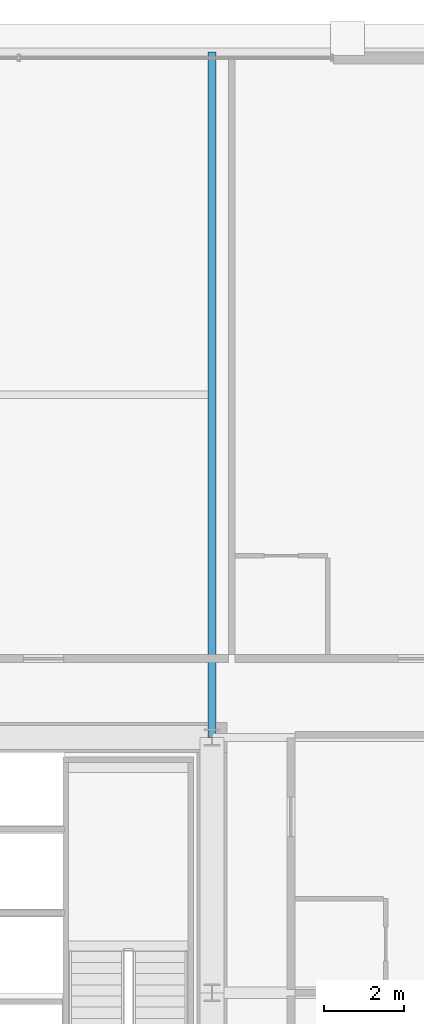
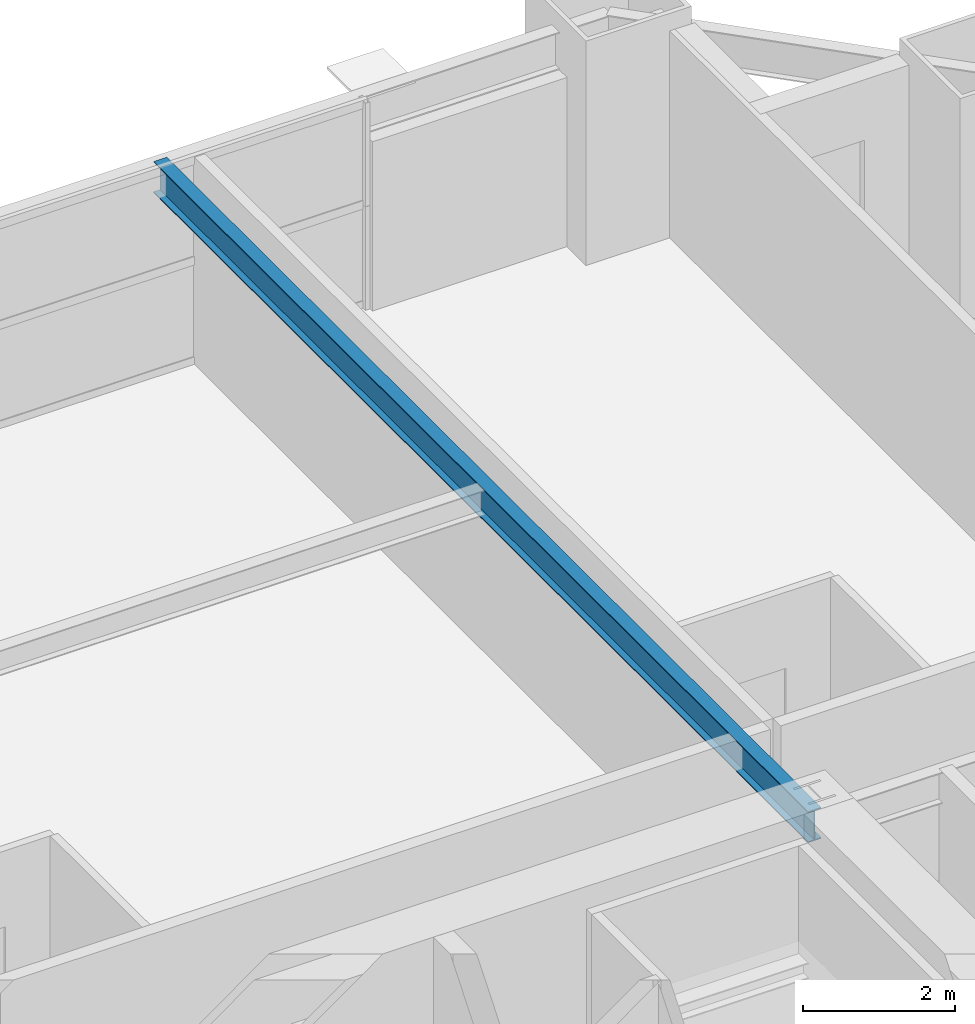
# One storey, part 27 of 38: 1 beam.
"""IFC4 building model written with IfcOpenShell, lengths in metres."""

from ifc_helpers import new_model, si_unit, direction, frame, origin, origin_2d, place, context, subcontext, project, spatial, i_section, extrude, source, transform, mapped, material, material_profile, profile_set, type_object, element, save


model = new_model("IFC4")

# Units and contexts
model_context = context("Model", 3, precision=1e-05, world=origin(), true_north=direction((0.0, 1.0)))
body_context = subcontext(model_context, "Body", "Model", "MODEL_VIEW")
ifc_project = project(units=[si_unit("LENGTHUNIT", "METRE"), si_unit("AREAUNIT", "SQUARE_METRE"), si_unit("VOLUMEUNIT", "CUBIC_METRE"), si_unit("PLANEANGLEUNIT", "RADIAN"), si_unit("MASSUNIT", "GRAM", prefix="KILO"), si_unit("THERMODYNAMICTEMPERATUREUNIT", "KELVIN"), si_unit("POWERUNIT", "WATT")], contexts=[model_context])

# Site, building, storey
site_placement = place(None, origin())
site = spatial("IfcSite", under=ifc_project, at=site_placement, CompositionType="ELEMENT")
building_placement = place(site_placement, origin())
building = spatial("IfcBuilding", under=site, at=building_placement, Name="Yuzanri Waterfront Tower", CompositionType="ELEMENT")
storey_placement = place(building_placement, frame((0.0, 0.0, 126.199951171875)))
storey = spatial("IfcBuildingStorey", under=building, at=storey_placement, Name="L33", CompositionType="ELEMENT", Elevation=126.199951171875)

# Beam
ifc_material = material(Name="Steel Q355B", Category="steel")
ifc_material_profile = material_profile(ifc_material, i_section(OverallWidth=0.199951171875, OverallDepth=0.5, WebThickness=0.010009765625, FlangeThickness=0.01611328125, at=origin_2d()), Name="HN 500x200x10x16")
ifc_profile_set = profile_set([ifc_material_profile], Name="Steel Q355B")
beam_type = type_object("IfcBeamType", Name="Secondary Floor Beam Q355B HN 500x200", PredefinedType="BEAM", material=ifc_profile_set)
shared_shape = source(origin(), body_context, "Body", "SweptSolid", [
    extrude(i_section(OverallWidth=0.199951171875, OverallDepth=0.5, WebThickness=0.010009765625, FlangeThickness=0.01611328125, at=origin_2d()), origin(), (0.0, 0.0, 1.0), 17.199951171875),
])
beam_placement = place(storey_placement, frame((50.199951171875, 32.199951171875, 3.070068359375), z_axis=(0.0, 1.0, 0.0), x_axis=(-1.0, 0.0, 0.0)))
element("IfcBeam", 1, at=beam_placement, inside=storey, type_object=beam_type, Name="L33 North-East Core Line Beam", PredefinedType="BEAM", context=body_context, shape_type="MappedRepresentation", body=[
    mapped(shared_shape, transform((0.0, 0.0, 0.0), scale=1.0)),
])

save(model, "model.ifc")
